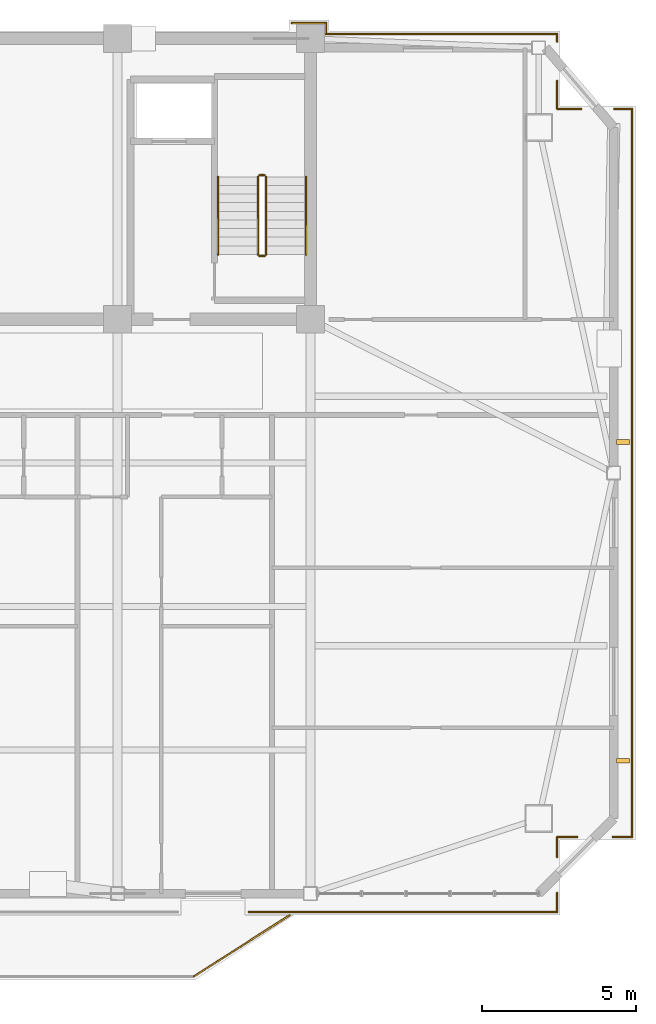
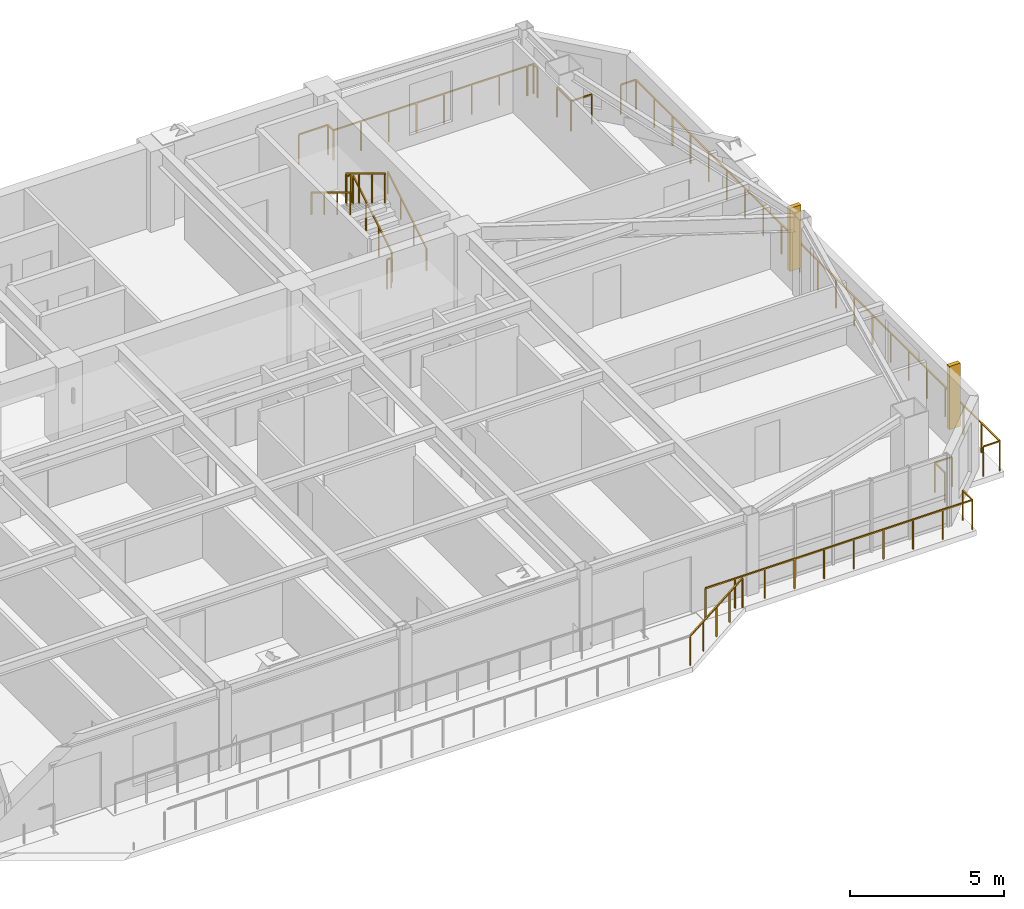
# One storey, part 15 of 15: 21 railings, 2 shading devices.
"""IFC4 building model written with IfcOpenShell, lengths in metres."""

from ifc_helpers import new_model, si_unit, direction, frame, origin, origin_2d, place, context, subcontext, project, spatial, rectangle, extrude, source, transform, mapped, material, type_object, element, save


model = new_model("IFC4")

# Units and contexts
model_context = context("Model", 3, precision=1e-05, world=origin(), true_north=direction((0.0, 1.0)))
body_context = subcontext(model_context, "Body", "Model", "MODEL_VIEW")
ifc_project = project(units=[si_unit("LENGTHUNIT", "METRE"), si_unit("AREAUNIT", "SQUARE_METRE"), si_unit("VOLUMEUNIT", "CUBIC_METRE"), si_unit("PLANEANGLEUNIT", "RADIAN"), si_unit("MASSUNIT", "GRAM", prefix="KILO")], contexts=[model_context])

# Site, building, storey
site_placement = place(None, origin())
site = spatial("IfcSite", under=ifc_project, at=site_placement, CompositionType="ELEMENT")
building_placement = place(site_placement, origin())
building = spatial("IfcBuilding", under=site, at=building_placement, Name="Giltprow Tower", CompositionType="ELEMENT")
storey_placement = place(building_placement, frame((0.0, 0.0, 293.800048828125)))
storey = spatial("IfcBuildingStorey", under=building, at=storey_placement, Name="L75", CompositionType="ELEMENT", Elevation=293.800048828125)

# Railings
ifc_material = material(Name="Anodized bronze", Category="metal")
railing_type_1 = type_object("IfcRailingType", Name="RAIL-BALC-GUARD-1200", PredefinedType="BALUSTRADE", material=ifc_material)
railing_1_placement = place(storey_placement, frame((46.780029296875, 16.160888671875, 0.0)))
element("IfcRailing", 1, at=railing_1_placement, inside=storey, type_object=railing_type_1, Name="L75 Waterfront Balcony Balustrade Seg 3", PredefinedType="BALUSTRADE", context=body_context, shape_type="SweptSolid", body=[
    extrude(rectangle(XDim=0.048095703125, YDim=0.048095703125, at=origin_2d()), frame((0.0, 0.0, 1.17578125), z_axis=(0.842725534991, 0.538343452336, 0.0), x_axis=(-0.538343452336, 0.842725534991, 0.0)), (0.0, 0.0, 1.0), 3.678466796875),
    extrude(rectangle(XDim=0.0419921875, YDim=0.0419921875, at=origin_2d()), origin(), (0.0, 0.0, 1.0), 1.15185546875),
    extrude(rectangle(XDim=0.0419921875, YDim=0.0419921875, at=origin_2d()), frame((0.77490234375, 0.4951171875, 0.0)), (0.0, 0.0, 1.0), 1.15185546875),
    extrude(rectangle(XDim=0.0419921875, YDim=0.0419921875, at=origin_2d()), frame((1.5498046875, 0.990234375, 0.0)), (0.0, 0.0, 1.0), 1.15185546875),
    extrude(rectangle(XDim=0.0419921875, YDim=0.0419921875, at=origin_2d()), frame((2.324951171875, 1.485107421875, 0.0)), (0.0, 0.0, 1.0), 1.15185546875),
    extrude(rectangle(XDim=0.0419921875, YDim=0.0419921875, at=origin_2d()), frame((3.099853515625, 1.980224609375, 0.0)), (0.0, 0.0, 1.0), 1.15185546875),
])
railing_2_placement = place(storey_placement, frame((60.97607421875, 44.27001953125, 0.0)))
element("IfcRailing", 2, at=railing_2_placement, inside=storey, type_object=railing_type_1, Name="L75 Corner Apron Edge Balustrade 1", PredefinedType="BALUSTRADE", context=body_context, shape_type="SweptSolid", body=[
    extrude(rectangle(XDim=0.048095703125, YDim=0.048095703125, at=origin_2d()), frame((0.0, 0.0, 1.17578125), z_axis=(0.0, -1.0, 0.0), x_axis=(1.0, 0.0, 0.0)), (0.0, 0.0, 1.0), 23.597900390625),
    extrude(rectangle(XDim=0.0419921875, YDim=0.0419921875, at=origin_2d()), origin(), (0.0, 0.0, 1.0), 1.15185546875),
    extrude(rectangle(XDim=0.0419921875, YDim=0.0419921875, at=origin_2d()), frame((0.0, -1.179931640625, 0.0)), (0.0, 0.0, 1.0), 1.15185546875),
    extrude(rectangle(XDim=0.0419921875, YDim=0.0419921875, at=origin_2d()), frame((0.0, -2.35986328125, 0.0)), (0.0, 0.0, 1.0), 1.15185546875),
    extrude(rectangle(XDim=0.0419921875, YDim=0.0419921875, at=origin_2d()), frame((0.0, -3.539794921875, 0.0)), (0.0, 0.0, 1.0), 1.15185546875),
    extrude(rectangle(XDim=0.0419921875, YDim=0.0419921875, at=origin_2d()), frame((0.0, -4.719482421875, 0.0)), (0.0, 0.0, 1.0), 1.15185546875),
    extrude(rectangle(XDim=0.0419921875, YDim=0.0419921875, at=origin_2d()), frame((0.0, -5.8994140625, 0.0)), (0.0, 0.0, 1.0), 1.15185546875),
    extrude(rectangle(XDim=0.0419921875, YDim=0.0419921875, at=origin_2d()), frame((0.0, -7.079345703125, 0.0)), (0.0, 0.0, 1.0), 1.15185546875),
    extrude(rectangle(XDim=0.0419921875, YDim=0.0419921875, at=origin_2d()), frame((0.0, -8.25927734375, 0.0)), (0.0, 0.0, 1.0), 1.15185546875),
    extrude(rectangle(XDim=0.0419921875, YDim=0.0419921875, at=origin_2d()), frame((0.0, -9.439208984375, 0.0)), (0.0, 0.0, 1.0), 1.15185546875),
    extrude(rectangle(XDim=0.0419921875, YDim=0.0419921875, at=origin_2d()), frame((0.0, -10.619140625, 0.0)), (0.0, 0.0, 1.0), 1.15185546875),
    extrude(rectangle(XDim=0.0419921875, YDim=0.0419921875, at=origin_2d()), frame((0.0, -11.798828125, 0.0)), (0.0, 0.0, 1.0), 1.15185546875),
    extrude(rectangle(XDim=0.0419921875, YDim=0.0419921875, at=origin_2d()), frame((0.0, -12.978759765625, 0.0)), (0.0, 0.0, 1.0), 1.15185546875),
    extrude(rectangle(XDim=0.0419921875, YDim=0.0419921875, at=origin_2d()), frame((0.0, -14.15869140625, 0.0)), (0.0, 0.0, 1.0), 1.15185546875),
    extrude(rectangle(XDim=0.0419921875, YDim=0.0419921875, at=origin_2d()), frame((0.0, -15.338623046875, 0.0)), (0.0, 0.0, 1.0), 1.15185546875),
    extrude(rectangle(XDim=0.0419921875, YDim=0.0419921875, at=origin_2d()), frame((0.0, -16.5185546875, 0.0)), (0.0, 0.0, 1.0), 1.15185546875),
    extrude(rectangle(XDim=0.0419921875, YDim=0.0419921875, at=origin_2d()), frame((0.0, -17.698486328125, 0.0)), (0.0, 0.0, 1.0), 1.15185546875),
    extrude(rectangle(XDim=0.0419921875, YDim=0.0419921875, at=origin_2d()), frame((0.0, -18.87841796875, 0.0)), (0.0, 0.0, 1.0), 1.15185546875),
    extrude(rectangle(XDim=0.0419921875, YDim=0.0419921875, at=origin_2d()), frame((0.0, -20.05810546875, 0.0)), (0.0, 0.0, 1.0), 1.15185546875),
    extrude(rectangle(XDim=0.0419921875, YDim=0.0419921875, at=origin_2d()), frame((0.0, -21.238037109375, 0.0)), (0.0, 0.0, 1.0), 1.15185546875),
    extrude(rectangle(XDim=0.0419921875, YDim=0.0419921875, at=origin_2d()), frame((0.0, -22.41796875, 0.0)), (0.0, 0.0, 1.0), 1.15185546875),
    extrude(rectangle(XDim=0.0419921875, YDim=0.0419921875, at=origin_2d()), frame((0.0, -23.597900390625, 0.0)), (0.0, 0.0, 1.0), 1.15185546875),
])
railing_3_placement = place(storey_placement, frame((60.97607421875, 20.672119140625, 0.0)))
element("IfcRailing", 3, at=railing_3_placement, inside=storey, type_object=railing_type_1, Name="L75 Corner Apron Edge Balustrade 2", PredefinedType="BALUSTRADE", context=body_context, shape_type="SweptSolid", body=[
    extrude(rectangle(XDim=0.048095703125, YDim=0.048095703125, at=origin_2d()), frame((0.0, 0.0, 1.17578125), z_axis=(-1.0, 0.0, 0.0), x_axis=(0.0, -1.0, 0.0)), (0.0, 0.0, 1.0), 0.6201171875),
    extrude(rectangle(XDim=0.0419921875, YDim=0.0419921875, at=origin_2d()), origin(), (0.0, 0.0, 1.0), 1.15185546875),
    extrude(rectangle(XDim=0.0419921875, YDim=0.0419921875, at=origin_2d()), frame((-0.6201171875, 0.0, 0.0)), (0.0, 0.0, 1.0), 1.15185546875),
])
railing_4_placement = place(storey_placement, frame((59.196044921875, 20.672119140625, 0.0)))
element("IfcRailing", 4, at=railing_4_placement, inside=storey, type_object=railing_type_1, Name="L75 Corner Apron Edge Balustrade 3", PredefinedType="BALUSTRADE", context=body_context, shape_type="SweptSolid", body=[
    extrude(rectangle(XDim=0.048095703125, YDim=0.048095703125, at=origin_2d()), frame((0.0, 0.0, 1.17578125), z_axis=(-1.0, 0.0, 0.0), x_axis=(0.0, -1.0, 0.0)), (0.0, 0.0, 1.0), 0.651123046875),
    extrude(rectangle(XDim=0.0419921875, YDim=0.0419921875, at=origin_2d()), origin(), (0.0, 0.0, 1.0), 1.15185546875),
    extrude(rectangle(XDim=0.0419921875, YDim=0.0419921875, at=origin_2d()), frame((-0.651123046875, 0.0, 0.0)), (0.0, 0.0, 1.0), 1.15185546875),
])
railing_5_placement = place(storey_placement, frame((58.544921875, 20.672119140625, 0.0)))
element("IfcRailing", 5, at=railing_5_placement, inside=storey, type_object=railing_type_1, Name="L75 Corner Apron Edge Balustrade 4", PredefinedType="BALUSTRADE", context=body_context, shape_type="SweptSolid", body=[
    extrude(rectangle(XDim=0.048095703125, YDim=0.048095703125, at=origin_2d()), frame((0.0, 0.0, 1.17578125), z_axis=(0.0, -1.0, 0.0), x_axis=(1.0, 0.0, 0.0)), (0.0, 0.0, 1.0), 0.651123046875),
    extrude(rectangle(XDim=0.0419921875, YDim=0.0419921875, at=origin_2d()), origin(), (0.0, 0.0, 1.0), 1.15185546875),
    extrude(rectangle(XDim=0.0419921875, YDim=0.0419921875, at=origin_2d()), frame((0.0, -0.651123046875, 0.0)), (0.0, 0.0, 1.0), 1.15185546875),
])
railing_6_placement = place(storey_placement, frame((58.544921875, 18.861083984375, 0.0)))
element("IfcRailing", 6, at=railing_6_placement, inside=storey, type_object=railing_type_1, Name="L75 Corner Apron Edge Balustrade 5", PredefinedType="BALUSTRADE", context=body_context, shape_type="SweptSolid", body=[
    extrude(rectangle(XDim=0.048095703125, YDim=0.048095703125, at=origin_2d()), frame((0.0, 0.0, 1.17578125), z_axis=(0.0, -1.0, 0.0), x_axis=(1.0, 0.0, 0.0)), (0.0, 0.0, 1.0), 0.6201171875),
    extrude(rectangle(XDim=0.0419921875, YDim=0.0419921875, at=origin_2d()), origin(), (0.0, 0.0, 1.0), 1.15185546875),
    extrude(rectangle(XDim=0.0419921875, YDim=0.0419921875, at=origin_2d()), frame((0.0, -0.6201171875, 0.0)), (0.0, 0.0, 1.0), 1.15185546875),
])
railing_7_placement = place(storey_placement, frame((58.544921875, 18.240966796875, 0.0)))
element("IfcRailing", 7, at=railing_7_placement, inside=storey, type_object=railing_type_1, Name="L75 Corner Apron Edge Balustrade 6", PredefinedType="BALUSTRADE", context=body_context, shape_type="SweptSolid", body=[
    extrude(rectangle(XDim=0.048095703125, YDim=0.048095703125, at=origin_2d()), frame((0.0, 0.0, 1.17578125), z_axis=(-1.0, 0.0, 0.0), x_axis=(0.0, -1.0, 0.0)), (0.0, 0.0, 1.0), 9.994873046875),
    extrude(rectangle(XDim=0.0419921875, YDim=0.0419921875, at=origin_2d()), origin(), (0.0, 0.0, 1.0), 1.15185546875),
    extrude(rectangle(XDim=0.0419921875, YDim=0.0419921875, at=origin_2d()), frame((-1.110595703125, 0.0, 0.0)), (0.0, 0.0, 1.0), 1.15185546875),
    extrude(rectangle(XDim=0.0419921875, YDim=0.0419921875, at=origin_2d()), frame((-2.22119140625, 0.0, 0.0)), (0.0, 0.0, 1.0), 1.15185546875),
    extrude(rectangle(XDim=0.0419921875, YDim=0.0419921875, at=origin_2d()), frame((-3.33154296875, 0.0, 0.0)), (0.0, 0.0, 1.0), 1.15185546875),
    extrude(rectangle(XDim=0.0419921875, YDim=0.0419921875, at=origin_2d()), frame((-4.442138671875, 0.0, 0.0)), (0.0, 0.0, 1.0), 1.15185546875),
    extrude(rectangle(XDim=0.0419921875, YDim=0.0419921875, at=origin_2d()), frame((-5.552734375, 0.0, 0.0)), (0.0, 0.0, 1.0), 1.15185546875),
    extrude(rectangle(XDim=0.0419921875, YDim=0.0419921875, at=origin_2d()), frame((-6.663330078125, 0.0, 0.0)), (0.0, 0.0, 1.0), 1.15185546875),
    extrude(rectangle(XDim=0.0419921875, YDim=0.0419921875, at=origin_2d()), frame((-7.773681640625, 0.0, 0.0)), (0.0, 0.0, 1.0), 1.15185546875),
    extrude(rectangle(XDim=0.0419921875, YDim=0.0419921875, at=origin_2d()), frame((-8.88427734375, 0.0, 0.0)), (0.0, 0.0, 1.0), 1.15185546875),
    extrude(rectangle(XDim=0.0419921875, YDim=0.0419921875, at=origin_2d()), frame((-9.994873046875, 0.0, 0.0)), (0.0, 0.0, 1.0), 1.15185546875),
])
railing_8_placement = place(storey_placement, frame((49.949951171875, 47.050048828125, 0.0)))
element("IfcRailing", 8, at=railing_8_placement, inside=storey, type_object=railing_type_1, Name="L75 Corner Apron Edge Balustrade 22", PredefinedType="BALUSTRADE", context=body_context, shape_type="SweptSolid", body=[
    extrude(rectangle(XDim=0.048095703125, YDim=0.048095703125, at=origin_2d()), frame((0.0, 0.0, 1.17578125), z_axis=(1.0, 0.0, 0.0), x_axis=(0.0, 1.0, 0.0)), (0.0, 0.0, 1.0), 1.10009765625),
    extrude(rectangle(XDim=0.0419921875, YDim=0.0419921875, at=origin_2d()), origin(), (0.0, 0.0, 1.0), 1.15185546875),
    extrude(rectangle(XDim=0.0419921875, YDim=0.0419921875, at=origin_2d()), frame((1.10009765625, 0.0, 0.0)), (0.0, 0.0, 1.0), 1.15185546875),
])
railing_9_placement = place(storey_placement, frame((51.050048828125, 47.050048828125, 0.0)))
element("IfcRailing", 9, at=railing_9_placement, inside=storey, type_object=railing_type_1, Name="L75 Corner Apron Edge Balustrade 23", PredefinedType="BALUSTRADE", context=body_context, shape_type="SweptSolid", body=[
    extrude(rectangle(XDim=0.048095703125, YDim=0.048095703125, at=origin_2d()), frame((0.0, 0.0, 1.17578125), z_axis=(0.0, -1.0, 0.0), x_axis=(1.0, 0.0, 0.0)), (0.0, 0.0, 1.0), 0.35009765625),
    extrude(rectangle(XDim=0.0419921875, YDim=0.0419921875, at=origin_2d()), origin(), (0.0, 0.0, 1.0), 1.15185546875),
    extrude(rectangle(XDim=0.0419921875, YDim=0.0419921875, at=origin_2d()), frame((0.0, -0.35009765625, 0.0)), (0.0, 0.0, 1.0), 1.15185546875),
])
railing_10_placement = place(storey_placement, frame((51.050048828125, 46.699951171875, 0.0)))
element("IfcRailing", 10, at=railing_10_placement, inside=storey, type_object=railing_type_1, Name="L75 Corner Apron Edge Balustrade 24", PredefinedType="BALUSTRADE", context=body_context, shape_type="SweptSolid", body=[
    extrude(rectangle(XDim=0.048095703125, YDim=0.048095703125, at=origin_2d()), frame((0.0, 0.0, 1.17578125), z_axis=(1.0, 0.0, 0.0), x_axis=(0.0, 1.0, 0.0)), (0.0, 0.0, 1.0), 7.245849609375),
    extrude(rectangle(XDim=0.0419921875, YDim=0.0419921875, at=origin_2d()), origin(), (0.0, 0.0, 1.0), 1.15185546875),
    extrude(rectangle(XDim=0.0419921875, YDim=0.0419921875, at=origin_2d()), frame((1.03515625, 0.0, 0.0)), (0.0, 0.0, 1.0), 1.15185546875),
    extrude(rectangle(XDim=0.0419921875, YDim=0.0419921875, at=origin_2d()), frame((2.0703125, 0.0, 0.0)), (0.0, 0.0, 1.0), 1.15185546875),
    extrude(rectangle(XDim=0.0419921875, YDim=0.0419921875, at=origin_2d()), frame((3.10546875, 0.0, 0.0)), (0.0, 0.0, 1.0), 1.15185546875),
    extrude(rectangle(XDim=0.0419921875, YDim=0.0419921875, at=origin_2d()), frame((4.140380859375, 0.0, 0.0)), (0.0, 0.0, 1.0), 1.15185546875),
    extrude(rectangle(XDim=0.0419921875, YDim=0.0419921875, at=origin_2d()), frame((5.175537109375, 0.0, 0.0)), (0.0, 0.0, 1.0), 1.15185546875),
    extrude(rectangle(XDim=0.0419921875, YDim=0.0419921875, at=origin_2d()), frame((6.210693359375, 0.0, 0.0)), (0.0, 0.0, 1.0), 1.15185546875),
    extrude(rectangle(XDim=0.0419921875, YDim=0.0419921875, at=origin_2d()), frame((7.245849609375, 0.0, 0.0)), (0.0, 0.0, 1.0), 1.15185546875),
])
railing_11_placement = place(storey_placement, frame((58.324951171875, 46.699951171875, 0.0)))
element("IfcRailing", 11, at=railing_11_placement, inside=storey, type_object=railing_type_1, Name="L75 Corner Apron Edge Balustrade 25", PredefinedType="BALUSTRADE", context=body_context, shape_type="SweptSolid", body=[
    extrude(rectangle(XDim=0.048095703125, YDim=0.048095703125, at=origin_2d()), frame((0.0, 0.0, 1.17578125), z_axis=(1.0, 0.0, 0.0), x_axis=(0.0, 1.0, 0.0)), (0.0, 0.0, 1.0), 0.219970703125),
    extrude(rectangle(XDim=0.0419921875, YDim=0.0419921875, at=origin_2d()), origin(), (0.0, 0.0, 1.0), 1.15185546875),
    extrude(rectangle(XDim=0.0419921875, YDim=0.0419921875, at=origin_2d()), frame((0.219970703125, 0.0, 0.0)), (0.0, 0.0, 1.0), 1.15185546875),
])
railing_12_placement = place(storey_placement, frame((58.544921875, 46.699951171875, 0.0)))
element("IfcRailing", 12, at=railing_12_placement, inside=storey, type_object=railing_type_1, Name="L75 Corner Apron Edge Balustrade 26", PredefinedType="BALUSTRADE", context=body_context, shape_type="SweptSolid", body=[
    extrude(rectangle(XDim=0.048095703125, YDim=0.048095703125, at=origin_2d()), frame((0.0, 0.0, 1.17578125), z_axis=(0.0, -1.0, 0.0), x_axis=(1.0, 0.0, 0.0)), (0.0, 0.0, 1.0), 0.258056640625),
    extrude(rectangle(XDim=0.0419921875, YDim=0.0419921875, at=origin_2d()), origin(), (0.0, 0.0, 1.0), 1.15185546875),
    extrude(rectangle(XDim=0.0419921875, YDim=0.0419921875, at=origin_2d()), frame((0.0, -0.258056640625, 0.0)), (0.0, 0.0, 1.0), 1.15185546875),
])
railing_13_placement = place(storey_placement, frame((58.544921875, 45.179931640625, 0.0)))
element("IfcRailing", 13, at=railing_13_placement, inside=storey, type_object=railing_type_1, Name="L75 Corner Apron Edge Balustrade 27", PredefinedType="BALUSTRADE", context=body_context, shape_type="SweptSolid", body=[
    extrude(rectangle(XDim=0.048095703125, YDim=0.048095703125, at=origin_2d()), frame((0.0, 0.0, 1.17578125), z_axis=(0.0, -1.0, 0.0), x_axis=(1.0, 0.0, 0.0)), (0.0, 0.0, 1.0), 0.909912109375),
    extrude(rectangle(XDim=0.0419921875, YDim=0.0419921875, at=origin_2d()), origin(), (0.0, 0.0, 1.0), 1.15185546875),
    extrude(rectangle(XDim=0.0419921875, YDim=0.0419921875, at=origin_2d()), frame((0.0, -0.909912109375, 0.0)), (0.0, 0.0, 1.0), 1.15185546875),
])
railing_14_placement = place(storey_placement, frame((58.544921875, 44.27001953125, 0.0)))
element("IfcRailing", 14, at=railing_14_placement, inside=storey, type_object=railing_type_1, Name="L75 Corner Apron Edge Balustrade 28", PredefinedType="BALUSTRADE", context=body_context, shape_type="SweptSolid", body=[
    extrude(rectangle(XDim=0.048095703125, YDim=0.048095703125, at=origin_2d()), frame((0.0, 0.0, 1.17578125), z_axis=(1.0, 0.0, 0.0), x_axis=(0.0, 1.0, 0.0)), (0.0, 0.0, 1.0), 0.778076171875),
    extrude(rectangle(XDim=0.0419921875, YDim=0.0419921875, at=origin_2d()), origin(), (0.0, 0.0, 1.0), 1.15185546875),
    extrude(rectangle(XDim=0.0419921875, YDim=0.0419921875, at=origin_2d()), frame((0.778076171875, 0.0, 0.0)), (0.0, 0.0, 1.0), 1.15185546875),
])
railing_15_placement = place(storey_placement, frame((60.402099609375, 44.27001953125, 0.0)))
element("IfcRailing", 15, at=railing_15_placement, inside=storey, type_object=railing_type_1, Name="L75 Corner Apron Edge Balustrade 29", PredefinedType="BALUSTRADE", context=body_context, shape_type="SweptSolid", body=[
    extrude(rectangle(XDim=0.048095703125, YDim=0.048095703125, at=origin_2d()), frame((0.0, 0.0, 1.17578125), z_axis=(1.0, 0.0, 0.0), x_axis=(0.0, 1.0, 0.0)), (0.0, 0.0, 1.0), 0.573974609375),
    extrude(rectangle(XDim=0.0419921875, YDim=0.0419921875, at=origin_2d()), origin(), (0.0, 0.0, 1.0), 1.15185546875),
    extrude(rectangle(XDim=0.0419921875, YDim=0.0419921875, at=origin_2d()), frame((0.573974609375, 0.0, 0.0)), (0.0, 0.0, 1.0), 1.15185546875),
])
railing_type_2 = type_object("IfcRailingType", Name="RAIL-STAIR-GUARD-1200", PredefinedType="GUARDRAIL", material=ifc_material)
railing_16_placement = place(storey_placement, frame((49.110107421875, 39.550048828125, 0.169921875)))
element("IfcRailing", 16, at=railing_16_placement, inside=storey, type_object=railing_type_2, Name="L75 ST-3 stair guard 1", PredefinedType="GUARDRAIL", context=body_context, shape_type="SweptSolid", body=[
    extrude(rectangle(XDim=0.048095703125, YDim=0.048095703125, at=origin_2d()), frame((0.0, 0.0, 1.17578125), z_axis=(0.0, 0.85478489116, 0.518982456201), x_axis=(-1.0, 0.0, 0.0)), (0.0, 0.0, 1.0), 2.9482421875),
    extrude(rectangle(XDim=0.0419921875, YDim=0.0419921875, at=origin_2d()), origin(), (0.0, 0.0, 1.0), 1.15185546875),
    extrude(rectangle(XDim=0.0419921875, YDim=0.0419921875, at=origin_2d()), frame((0.0, 0.840087890625, 0.510009765625)), (0.0, 0.0, 1.0), 1.15185546875),
    extrude(rectangle(XDim=0.0419921875, YDim=0.0419921875, at=origin_2d()), frame((0.0, 1.679931640625, 1.02001953125)), (0.0, 0.0, 1.0), 1.15185546875),
    extrude(rectangle(XDim=0.0419921875, YDim=0.0419921875, at=origin_2d()), frame((0.0, 2.52001953125, 1.530029296875)), (0.0, 0.0, 1.0), 1.15185546875),
])
railing_17_placement = place(storey_placement, frame((49.06005859375, 42.1201171875, 1.699951171875)))
element("IfcRailing", 17, at=railing_17_placement, inside=storey, type_object=railing_type_2, Name="L75 ST-3 stair guard 2", PredefinedType="GUARDRAIL", context=body_context, shape_type="SweptSolid", body=[
    extrude(rectangle(XDim=0.048095703125, YDim=0.048095703125, at=origin_2d()), frame((0.0, 0.0, 1.17578125), z_axis=(-1.0, 0.0, 0.0), x_axis=(0.0, -1.0, 0.0)), (0.0, 0.0, 1.0), 0.16015625),
    extrude(rectangle(XDim=0.0419921875, YDim=0.0419921875, at=origin_2d()), origin(), (0.0, 0.0, 1.0), 1.15185546875),
    extrude(rectangle(XDim=0.0419921875, YDim=0.0419921875, at=origin_2d()), frame((-0.16015625, 0.0, 0.0)), (0.0, 0.0, 1.0), 1.15185546875),
])
railing_18_placement = place(storey_placement, frame((48.85009765625, 42.070068359375, 1.869873046875)))
element("IfcRailing", 18, at=railing_18_placement, inside=storey, type_object=railing_type_2, Name="L75 ST-3 stair guard 3", PredefinedType="GUARDRAIL", context=body_context, shape_type="SweptSolid", body=[
    extrude(rectangle(XDim=0.048095703125, YDim=0.048095703125, at=origin_2d()), frame((0.0, 0.0, 1.17578125), z_axis=(0.0, -0.85478489116, 0.518982456201), x_axis=(1.0, 0.0, 0.0)), (0.0, 0.0, 1.0), 2.9482421875),
    extrude(rectangle(XDim=0.0419921875, YDim=0.0419921875, at=origin_2d()), origin(), (0.0, 0.0, 1.0), 1.15185546875),
    extrude(rectangle(XDim=0.0419921875, YDim=0.0419921875, at=origin_2d()), frame((0.0, -0.840087890625, 0.510009765625)), (0.0, 0.0, 1.0), 1.15185546875),
    extrude(rectangle(XDim=0.0419921875, YDim=0.0419921875, at=origin_2d()), frame((0.0, -1.679931640625, 1.02001953125)), (0.0, 0.0, 1.0), 1.15185546875),
    extrude(rectangle(XDim=0.0419921875, YDim=0.0419921875, at=origin_2d()), frame((0.0, -2.52001953125, 1.530029296875)), (0.0, 0.0, 1.0), 1.15185546875),
])
railing_19_placement = place(storey_placement, frame((49.06005859375, 39.5, 0.0)))
element("IfcRailing", 19, at=railing_19_placement, inside=storey, type_object=railing_type_2, Name="L75 ST-3 stair guard 4", PredefinedType="GUARDRAIL", context=body_context, shape_type="SweptSolid", body=[
    extrude(rectangle(XDim=0.048095703125, YDim=0.048095703125, at=origin_2d()), frame((0.0, 0.0, 1.17578125), z_axis=(-1.0, 0.0, 0.0), x_axis=(0.0, -1.0, 0.0)), (0.0, 0.0, 1.0), 0.16015625),
    extrude(rectangle(XDim=0.0419921875, YDim=0.0419921875, at=origin_2d()), origin(), (0.0, 0.0, 1.0), 1.15185546875),
    extrude(rectangle(XDim=0.0419921875, YDim=0.0419921875, at=origin_2d()), frame((-0.16015625, 0.0, 0.0)), (0.0, 0.0, 1.0), 1.15185546875),
])
railing_type_3 = type_object("IfcRailingType", Name="RAIL-STAIR-HAND-900", PredefinedType="HANDRAIL", material=ifc_material)
railing_20_placement = place(storey_placement, frame((50.409912109375, 39.550048828125, 0.169921875)))
element("IfcRailing", 20, at=railing_20_placement, inside=storey, type_object=railing_type_3, Name="L75 ST-3 stair handrail 1", PredefinedType="HANDRAIL", context=body_context, shape_type="SweptSolid", body=[
    extrude(rectangle(XDim=0.048095703125, YDim=0.048095703125, at=origin_2d()), frame((0.0, 0.0, 0.8759765625), z_axis=(0.0, 0.85478489116, 0.518982456201), x_axis=(-1.0, 0.0, 0.0)), (0.0, 0.0, 1.0), 2.9482421875),
    extrude(rectangle(XDim=0.0419921875, YDim=0.0419921875, at=origin_2d()), origin(), (0.0, 0.0, 1.0), 0.851806640625),
    extrude(rectangle(XDim=0.0419921875, YDim=0.0419921875, at=origin_2d()), frame((0.0, 0.840087890625, 0.510009765625)), (0.0, 0.0, 1.0), 0.851806640625),
    extrude(rectangle(XDim=0.0419921875, YDim=0.0419921875, at=origin_2d()), frame((0.0, 1.679931640625, 1.02001953125)), (0.0, 0.0, 1.0), 0.851806640625),
    extrude(rectangle(XDim=0.0419921875, YDim=0.0419921875, at=origin_2d()), frame((0.0, 2.52001953125, 1.530029296875)), (0.0, 0.0, 1.0), 0.851806640625),
])
railing_21_placement = place(storey_placement, frame((47.550048828125, 42.070068359375, 1.869873046875)))
element("IfcRailing", 21, at=railing_21_placement, inside=storey, type_object=railing_type_3, Name="L75 ST-3 stair handrail 2", PredefinedType="HANDRAIL", context=body_context, shape_type="SweptSolid", body=[
    extrude(rectangle(XDim=0.048095703125, YDim=0.048095703125, at=origin_2d()), frame((0.0, 0.0, 0.8759765625), z_axis=(0.0, -0.85478489116, 0.518982456201), x_axis=(1.0, 0.0, 0.0)), (0.0, 0.0, 1.0), 2.9482421875),
    extrude(rectangle(XDim=0.0419921875, YDim=0.0419921875, at=origin_2d()), origin(), (0.0, 0.0, 1.0), 0.851806640625),
    extrude(rectangle(XDim=0.0419921875, YDim=0.0419921875, at=origin_2d()), frame((0.0, -0.840087890625, 0.510009765625)), (0.0, 0.0, 1.0), 0.851806640625),
    extrude(rectangle(XDim=0.0419921875, YDim=0.0419921875, at=origin_2d()), frame((0.0, -1.679931640625, 1.02001953125)), (0.0, 0.0, 1.0), 0.851806640625),
    extrude(rectangle(XDim=0.0419921875, YDim=0.0419921875, at=origin_2d()), frame((0.0, -2.52001953125, 1.530029296875)), (0.0, 0.0, 1.0), 0.851806640625),
])

# Shading devices
shading_device_type = type_object("IfcShadingDeviceType", Name="SHD-FIN-420", PredefinedType="USERDEFINED", material=ifc_material)
shared_shape = source(origin(), body_context, "Body", "SweptSolid", [
    extrude(rectangle(XDim=0.419921875, YDim=0.159912109375, at=origin_2d()), origin(), (0.0, 0.0, 1.0), 2.5),
])
for number, where, z_axis, x_axis, name in (
    (22, (60.676025390625, 23.14501953125, 0.349853515625), (0.0, 0.0, 1.0), (1.0, 0.0, 0.0), "L75 E Bronze Vertical Fin 1-1"),
    (23, (60.676025390625, 33.47705078125, 0.349853515625), (0.0, 0.0, 1.0), (1.0, 0.0, 0.0), "L75 E Bronze Vertical Fin 2-1"),
):
    element("IfcShadingDevice", number, at=place(storey_placement, frame(where, z_axis=z_axis, x_axis=x_axis)), inside=storey, type_object=shading_device_type, Name=name, ObjectType="FIN", PredefinedType="USERDEFINED", context=body_context, shape_type="MappedRepresentation", body=[
        mapped(shared_shape, transform((0.0, 0.0, 0.0), x_axis=(1.0, 0.0, 0.0), y_axis=(0.0, 1.0, 0.0), z_axis=(0.0, 0.0, 1.0), scale=1.0)),
    ])

save(model, "model.ifc")
